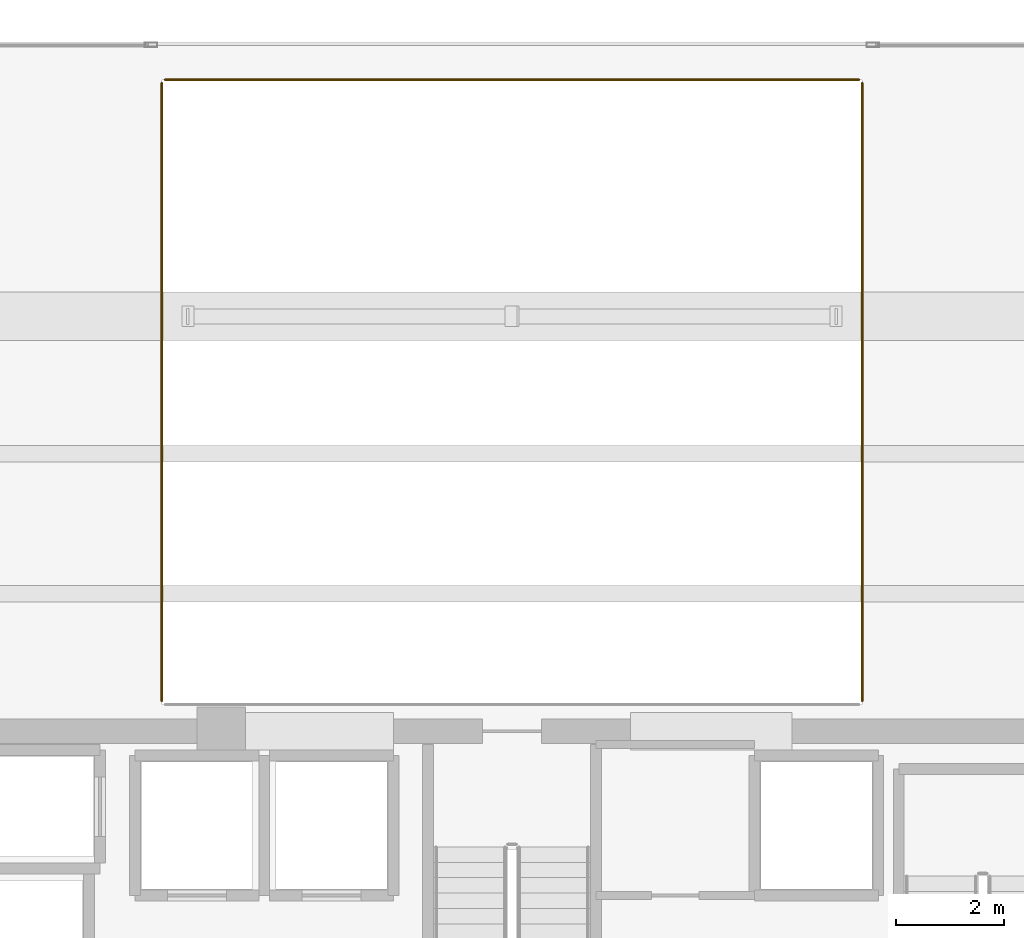
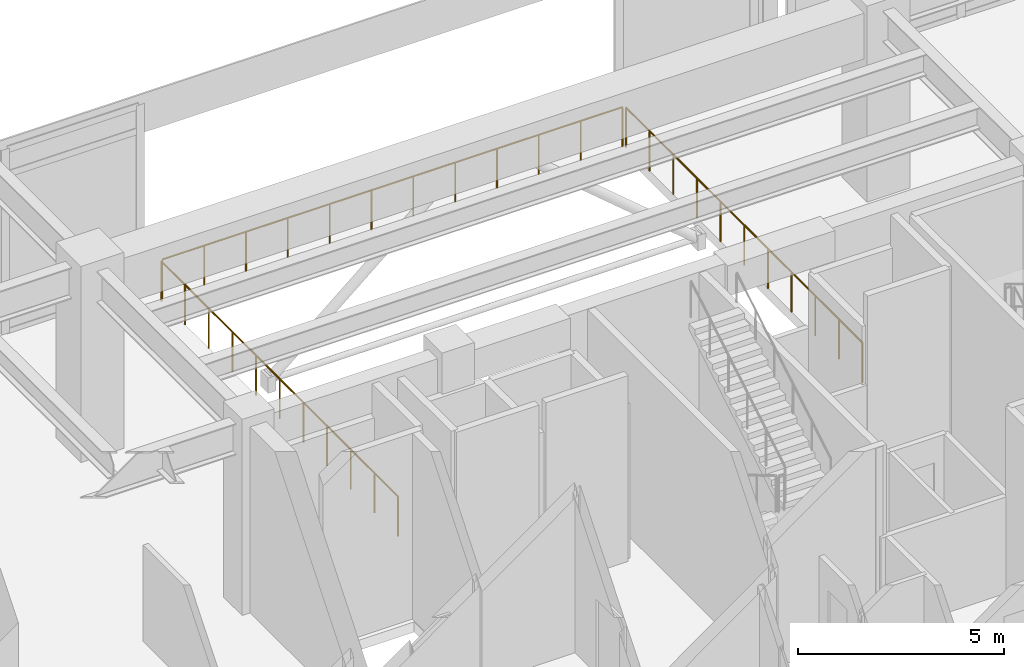
# One storey, part 25 of 25: 3 railings.
"""IFC4 building model written with IfcOpenShell, lengths in metres."""

from ifc_helpers import new_model, si_unit, direction, frame, origin, origin_2d, place, context, subcontext, project, spatial, circle, extrude, material, type_object, element, save


model = new_model("IFC4")

# Units and contexts
model_context = context("Model", 3, precision=1e-05, world=origin(), true_north=direction((0.0, 1.0)))
body_context = subcontext(model_context, "Body", "Model", "MODEL_VIEW")
ifc_project = project(units=[si_unit("LENGTHUNIT", "METRE"), si_unit("AREAUNIT", "SQUARE_METRE"), si_unit("VOLUMEUNIT", "CUBIC_METRE"), si_unit("PLANEANGLEUNIT", "RADIAN"), si_unit("MASSUNIT", "GRAM", prefix="KILO")], contexts=[model_context])

# Site, building, storey
site_placement = place(None, origin())
site = spatial("IfcSite", under=ifc_project, at=site_placement, CompositionType="ELEMENT")
building_placement = place(site_placement, origin())
building = spatial("IfcBuilding", under=site, at=building_placement, Name="Kovane Verandah Tower", CompositionType="ELEMENT")
storey_placement = place(building_placement, frame((0.0, 0.0, 295.199951171875)))
storey = spatial("IfcBuildingStorey", under=building, at=storey_placement, Name="L69", CompositionType="ELEMENT", Elevation=295.199951171875)

# Railings
ifc_material = material(Name="Pale-Champagne Stainless Steel and Glass Perimeter Guard", Category="steel")
railing_type = type_object("IfcRailingType", Name="RL-GDN-1200", PredefinedType="GUARDRAIL", material=ifc_material)
railing_1_placement = place(storey_placement, frame((46.5, 37.06005859375, 0.0)))
element("IfcRailing", 1, at=railing_1_placement, inside=storey, type_object=railing_type, Name="L69 Wind-Portal N Perimeter Guard E", PredefinedType="GUARDRAIL", context=body_context, shape_type="SweptSolid", body=[
    extrude(circle(Radius=0.02392578125, at=origin_2d()), frame((0.0, 0.0, 1.17578125), z_axis=(0.0, 1.0, 0.0), x_axis=(-1.0, 0.0, 0.0)), (0.0, 0.0, 1.0), 11.471435546875),
    extrude(circle(Radius=0.02099609375, at=origin_2d()), origin(), (0.0, 0.0, 1.0), 1.15185546875),
    extrude(circle(Radius=0.02099609375, at=origin_2d()), frame((0.0, 1.147216796875, 0.0)), (0.0, 0.0, 1.0), 1.15185546875),
    extrude(circle(Radius=0.02099609375, at=origin_2d()), frame((0.0, 2.294189453125, 0.0)), (0.0, 0.0, 1.0), 1.15185546875),
    extrude(circle(Radius=0.02099609375, at=origin_2d()), frame((0.0, 3.44140625, 0.0)), (0.0, 0.0, 1.0), 1.15185546875),
    extrude(circle(Radius=0.02099609375, at=origin_2d()), frame((0.0, 4.588623046875, 0.0)), (0.0, 0.0, 1.0), 1.15185546875),
    extrude(circle(Radius=0.02099609375, at=origin_2d()), frame((0.0, 5.73583984375, 0.0)), (0.0, 0.0, 1.0), 1.15185546875),
    extrude(circle(Radius=0.02099609375, at=origin_2d()), frame((0.0, 6.8828125, 0.0)), (0.0, 0.0, 1.0), 1.15185546875),
    extrude(circle(Radius=0.02099609375, at=origin_2d()), frame((0.0, 8.030029296875, 0.0)), (0.0, 0.0, 1.0), 1.15185546875),
    extrude(circle(Radius=0.02099609375, at=origin_2d()), frame((0.0, 9.17724609375, 0.0)), (0.0, 0.0, 1.0), 1.15185546875),
    extrude(circle(Radius=0.02099609375, at=origin_2d()), frame((0.0, 10.32421875, 0.0)), (0.0, 0.0, 1.0), 1.15185546875),
    extrude(circle(Radius=0.02099609375, at=origin_2d()), frame((0.0, 11.471435546875, 0.0)), (0.0, 0.0, 1.0), 1.15185546875),
])
railing_2_placement = place(storey_placement, frame((46.43994140625, 48.591552734375, 0.0)))
element("IfcRailing", 2, at=railing_2_placement, inside=storey, type_object=railing_type, Name="L69 Wind-Portal N Perimeter Guard N", PredefinedType="GUARDRAIL", context=body_context, shape_type="SweptSolid", body=[
    extrude(circle(Radius=0.02392578125, at=origin_2d()), frame((0.0, 0.0, 1.17578125), z_axis=(-1.0, 0.0, 0.0), x_axis=(0.0, -1.0, 0.0)), (0.0, 0.0, 1.0), 12.8798828125),
    extrude(circle(Radius=0.02099609375, at=origin_2d()), origin(), (0.0, 0.0, 1.0), 1.15185546875),
    extrude(circle(Radius=0.02099609375, at=origin_2d()), frame((-1.1708984375, 0.0, 0.0)), (0.0, 0.0, 1.0), 1.15185546875),
    extrude(circle(Radius=0.02099609375, at=origin_2d()), frame((-2.341796875, 0.0, 0.0)), (0.0, 0.0, 1.0), 1.15185546875),
    extrude(circle(Radius=0.02099609375, at=origin_2d()), frame((-3.5126953125, 0.0, 0.0)), (0.0, 0.0, 1.0), 1.15185546875),
    extrude(circle(Radius=0.02099609375, at=origin_2d()), frame((-4.68359375, 0.0, 0.0)), (0.0, 0.0, 1.0), 1.15185546875),
    extrude(circle(Radius=0.02099609375, at=origin_2d()), frame((-5.8544921875, 0.0, 0.0)), (0.0, 0.0, 1.0), 1.15185546875),
    extrude(circle(Radius=0.02099609375, at=origin_2d()), frame((-7.025390625, 0.0, 0.0)), (0.0, 0.0, 1.0), 1.15185546875),
    extrude(circle(Radius=0.02099609375, at=origin_2d()), frame((-8.1962890625, 0.0, 0.0)), (0.0, 0.0, 1.0), 1.15185546875),
    extrude(circle(Radius=0.02099609375, at=origin_2d()), frame((-9.3671875, 0.0, 0.0)), (0.0, 0.0, 1.0), 1.15185546875),
    extrude(circle(Radius=0.02099609375, at=origin_2d()), frame((-10.5380859375, 0.0, 0.0)), (0.0, 0.0, 1.0), 1.15185546875),
    extrude(circle(Radius=0.02099609375, at=origin_2d()), frame((-11.708984375, 0.0, 0.0)), (0.0, 0.0, 1.0), 1.15185546875),
    extrude(circle(Radius=0.02099609375, at=origin_2d()), frame((-12.8798828125, 0.0, 0.0)), (0.0, 0.0, 1.0), 1.15185546875),
])
railing_3_placement = place(storey_placement, frame((33.5, 48.531494140625, 0.0)))
element("IfcRailing", 3, at=railing_3_placement, inside=storey, type_object=railing_type, Name="L69 Wind-Portal N Perimeter Guard W", PredefinedType="GUARDRAIL", context=body_context, shape_type="SweptSolid", body=[
    extrude(circle(Radius=0.02392578125, at=origin_2d()), frame((0.0, 0.0, 1.17578125), z_axis=(0.0, -1.0, 0.0), x_axis=(1.0, 0.0, 0.0)), (0.0, 0.0, 1.0), 11.471435546875),
    extrude(circle(Radius=0.02099609375, at=origin_2d()), origin(), (0.0, 0.0, 1.0), 1.15185546875),
    extrude(circle(Radius=0.02099609375, at=origin_2d()), frame((0.0, -1.147216796875, 0.0)), (0.0, 0.0, 1.0), 1.15185546875),
    extrude(circle(Radius=0.02099609375, at=origin_2d()), frame((0.0, -2.294189453125, 0.0)), (0.0, 0.0, 1.0), 1.15185546875),
    extrude(circle(Radius=0.02099609375, at=origin_2d()), frame((0.0, -3.44140625, 0.0)), (0.0, 0.0, 1.0), 1.15185546875),
    extrude(circle(Radius=0.02099609375, at=origin_2d()), frame((0.0, -4.588623046875, 0.0)), (0.0, 0.0, 1.0), 1.15185546875),
    extrude(circle(Radius=0.02099609375, at=origin_2d()), frame((0.0, -5.73583984375, 0.0)), (0.0, 0.0, 1.0), 1.15185546875),
    extrude(circle(Radius=0.02099609375, at=origin_2d()), frame((0.0, -6.8828125, 0.0)), (0.0, 0.0, 1.0), 1.15185546875),
    extrude(circle(Radius=0.02099609375, at=origin_2d()), frame((0.0, -8.030029296875, 0.0)), (0.0, 0.0, 1.0), 1.15185546875),
    extrude(circle(Radius=0.02099609375, at=origin_2d()), frame((0.0, -9.17724609375, 0.0)), (0.0, 0.0, 1.0), 1.15185546875),
    extrude(circle(Radius=0.02099609375, at=origin_2d()), frame((0.0, -10.32421875, 0.0)), (0.0, 0.0, 1.0), 1.15185546875),
    extrude(circle(Radius=0.02099609375, at=origin_2d()), frame((0.0, -11.471435546875, 0.0)), (0.0, 0.0, 1.0), 1.15185546875),
])

save(model, "model.ifc")
